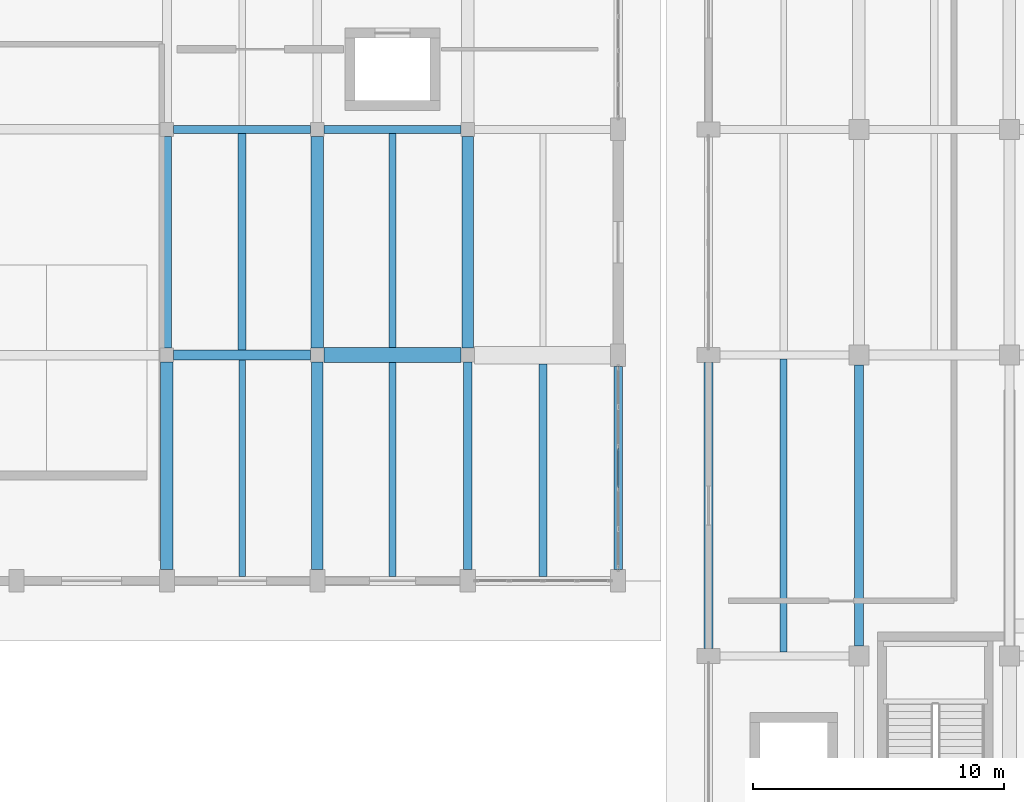
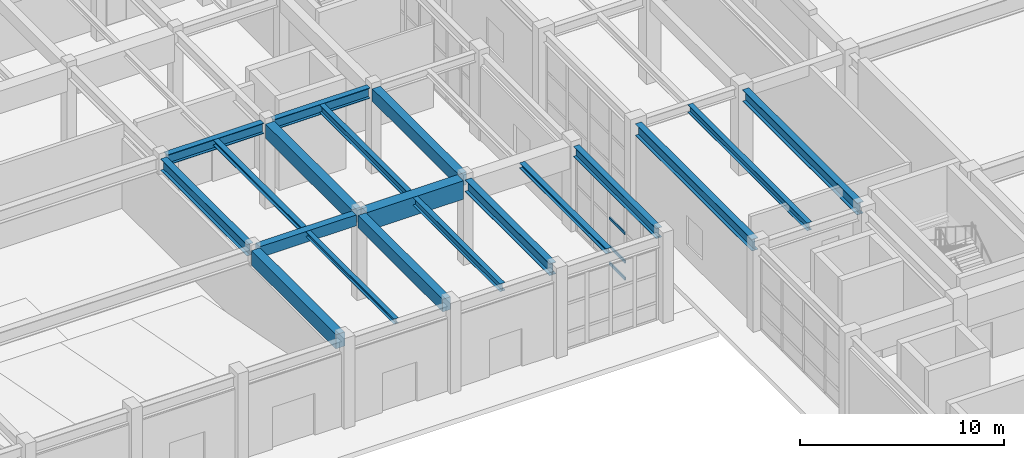
# One storey, part 11 of 91: 19 beams, 4 members, 1 element without a shape of its own.
"""IFC4 building model written with IfcOpenShell, lengths in metres."""

from ifc_helpers import new_model, si_unit, direction, frame, origin, origin_2d, place, context, subcontext, project, spatial, rectangle, hollow_rectangle, i_section, extrude, material, layer, layer_set, material_profile, profile_set, type_object, element, aggregate, save


model = new_model("IFC4")

# Units and contexts
model_context = context("Model", 3, precision=1e-05, world=origin(), true_north=direction((0.0, 1.0)))
body_context = subcontext(model_context, "Body", "Model", "MODEL_VIEW")
ifc_project = project(units=[si_unit("LENGTHUNIT", "METRE"), si_unit("AREAUNIT", "SQUARE_METRE"), si_unit("VOLUMEUNIT", "CUBIC_METRE"), si_unit("PLANEANGLEUNIT", "RADIAN"), si_unit("MASSUNIT", "GRAM", prefix="KILO")], contexts=[model_context])

# Site, building, storey
site_placement = place(None, origin())
site = spatial("IfcSite", under=ifc_project, at=site_placement, CompositionType="ELEMENT")
building_placement = place(site_placement, origin())
building = spatial("IfcBuilding", under=site, at=building_placement, Name="Vaelkrest Opera House", CompositionType="ELEMENT")
storey_placement = place(building_placement, origin())
storey = spatial("IfcBuildingStorey", under=building, at=storey_placement, Name="L00", CompositionType="ELEMENT", Elevation=0.0)

# Beams
ifc_material_1 = material(Name="Concrete C50/60", Category="concrete")
ifc_material_profile_1 = material_profile(ifc_material_1, rectangle(XDim=0.39990234375, YDim=0.64990234375, at=origin_2d()), Name="RCB400X650")
ifc_profile_set_1 = profile_set([ifc_material_profile_1], Name="Concrete C50/60")
beam_type_1 = type_object("IfcBeamType", Name="B01", PredefinedType="BEAM", material=ifc_profile_set_1)
beam_1_placement = place(storey_placement, frame((-51.324951171875, -7.800048828125, 4.7548828125), z_axis=(1.0, 0.0, 0.0), x_axis=(0.0, 1.0, 0.0)))
element("IfcBeam", 1, at=beam_1_placement, inside=storey, type_object=beam_type_1, Name="Beam BM-V3-L00-1389", PredefinedType="BEAM", context=body_context, shape_type="SweptSolid", body=[
    extrude(rectangle(XDim=0.39990234375, YDim=0.64990234375, at=origin_2d()), origin(), (0.0, 0.0, 1.0), 5.449951171875),
])
ifc_material_profile_2 = material_profile(ifc_material_1, rectangle(XDim=0.449951171875, YDim=0.75, at=origin_2d()), Name="RCB450X750")
ifc_profile_set_2 = profile_set([ifc_material_profile_2], Name="Concrete C50/60")
beam_type_2 = type_object("IfcBeamType", Name="B02", PredefinedType="BEAM", material=ifc_profile_set_2)
beam_2_placement = place(storey_placement, frame((-45.60009765625, -16.35009765625, 4.705078125), z_axis=(0.0, 1.0, 0.0), x_axis=(-1.0, 0.0, 0.0)))
element("IfcBeam", 2, at=beam_2_placement, inside=storey, type_object=beam_type_2, Name="Beam BM-V3-L00-1459", PredefinedType="BEAM", context=body_context, shape_type="SweptSolid", body=[
    extrude(rectangle(XDim=0.449951171875, YDim=0.75, at=origin_2d()), origin(), (0.0, 0.0, 1.0), 8.275146484375),
])
beam_3_placement = place(storey_placement, frame((-39.60009765625, -7.52490234375, 4.705078125), z_axis=(0.0, 1.0, 0.0), x_axis=(-1.0, 0.0, 0.0)))
element("IfcBeam", 3, at=beam_3_placement, inside=storey, type_object=beam_type_2, Name="Beam BM-V3-L00-1467", PredefinedType="BEAM", context=body_context, shape_type="SweptSolid", body=[
    extrude(rectangle(XDim=0.449951171875, YDim=0.75, at=origin_2d()), origin(), (0.0, 0.0, 1.0), 8.449951171875),
])
ifc_material_profile_3 = material_profile(ifc_material_1, rectangle(XDim=0.5, YDim=0.85009765625, at=origin_2d()), Name="RCB500X850")
ifc_profile_set_3 = profile_set([ifc_material_profile_3], Name="Concrete C50/60")
beam_type_3 = type_object("IfcBeamType", Name="B03", PredefinedType="BEAM", material=ifc_profile_set_3)
beam_4_placement = place(storey_placement, frame((-51.60009765625, -16.35009765625, 4.655029296875), z_axis=(0.0, 1.0, 0.0), x_axis=(-1.0, 0.0, 0.0)))
element("IfcBeam", 4, at=beam_4_placement, inside=storey, type_object=beam_type_3, Name="Beam BM-V3-L00-1452", PredefinedType="BEAM", context=body_context, shape_type="SweptSolid", body=[
    extrude(rectangle(XDim=0.5, YDim=0.85009765625, at=origin_2d()), origin(), (0.0, 0.0, 1.0), 8.275146484375),
])
beam_5_placement = place(storey_placement, frame((-45.60009765625, -7.52490234375, 4.655029296875), z_axis=(0.0, 1.0, 0.0), x_axis=(-1.0, 0.0, 0.0)))
element("IfcBeam", 5, at=beam_5_placement, inside=storey, type_object=beam_type_3, Name="Beam BM-V3-L00-1460", PredefinedType="BEAM", context=body_context, shape_type="SweptSolid", body=[
    extrude(rectangle(XDim=0.5, YDim=0.85009765625, at=origin_2d()), origin(), (0.0, 0.0, 1.0), 8.449951171875),
])
ifc_material_profile_4 = material_profile(ifc_material_1, rectangle(XDim=0.60009765625, YDim=1.10009765625, at=origin_2d()), Name="RCB600X1100")
ifc_profile_set_4 = profile_set([ifc_material_profile_4], Name="Concrete C50/60")
beam_type_4 = type_object("IfcBeamType", Name="B05", PredefinedType="BEAM", material=ifc_profile_set_4)
beam_6_placement = place(storey_placement, frame((-45.324951171875, -7.800048828125, 4.530029296875), z_axis=(1.0, 0.0, 0.0), x_axis=(0.0, 1.0, 0.0)))
element("IfcBeam", 6, at=beam_6_placement, inside=storey, type_object=beam_type_4, Name="Beam BM-V3-L00-1390", PredefinedType="BEAM", context=body_context, shape_type="SweptSolid", body=[
    extrude(rectangle(XDim=0.60009765625, YDim=1.10009765625, at=origin_2d()), origin(), (0.0, 0.0, 1.0), 5.449951171875),
])
ifc_material_2 = material(Name="Steel A992 Gr50", Category="steel")
ifc_material_profile_5 = material_profile(ifc_material_2, i_section(OverallWidth=0.327880859375, OverallDepth=0.6279296875, WebThickness=0.0166015625, FlangeThickness=0.027587890625, at=origin_2d()), Name="W24X146")
ifc_profile_set_5 = profile_set([ifc_material_profile_5], Name="Steel A992 Gr50")
beam_type_5 = type_object("IfcBeamType", Name="B09", PredefinedType="BEAM", material=ifc_profile_set_5)
beam_7_placement = place(storey_placement, frame((-51.324951171875, 1.199951171875, 4.76611328125), z_axis=(1.0, 0.0, 0.0), x_axis=(0.0, 1.0, 0.0)))
element("IfcBeam", 7, at=beam_7_placement, inside=storey, type_object=beam_type_5, Name="Beam BM-V3-L00-1394", PredefinedType="BEAM", context=body_context, shape_type="SweptSolid", body=[
    extrude(i_section(OverallWidth=0.327880859375, OverallDepth=0.6279296875, WebThickness=0.0166015625, FlangeThickness=0.027587890625, at=origin_2d()), origin(), (0.0, 0.0, 1.0), 5.449951171875),
])
ifc_material_profile_6 = material_profile(ifc_material_2, i_section(OverallWidth=0.35498046875, OverallDepth=0.695068359375, WebThickness=0.015380859375, FlangeThickness=0.02490234375, at=origin_2d()), Name="W27X146")
ifc_profile_set_6 = profile_set([ifc_material_profile_6], Name="Steel A992 Gr50")
beam_type_6 = type_object("IfcBeamType", Name="B10", PredefinedType="BEAM", material=ifc_profile_set_6)
beam_8_placement = place(storey_placement, frame((-51.60009765625, -7.52490234375, 4.732421875), z_axis=(0.0, 1.0, 0.0), x_axis=(-1.0, 0.0, 0.0)))
element("IfcBeam", 8, at=beam_8_placement, inside=storey, type_object=beam_type_6, Name="Beam BM-V3-L00-1453", PredefinedType="BEAM", context=body_context, shape_type="SweptSolid", body=[
    extrude(i_section(OverallWidth=0.35498046875, OverallDepth=0.695068359375, WebThickness=0.015380859375, FlangeThickness=0.02490234375, at=origin_2d()), origin(), (0.0, 0.0, 1.0), 8.449951171875),
])
ifc_material_profile_7 = material_profile(ifc_material_2, i_section(OverallWidth=0.35791015625, OverallDepth=0.7060546875, WebThickness=0.018310546875, FlangeThickness=0.0302734375, at=origin_2d()), Name="W27X178")
ifc_profile_set_7 = profile_set([ifc_material_profile_7], Name="Steel A992 Gr50")
beam_type_7 = type_object("IfcBeamType", Name="B14", PredefinedType="BEAM", material=ifc_profile_set_7)
beam_9_placement = place(storey_placement, frame((-24.0, -19.39990234375, 4.72705078125), z_axis=(0.0, 1.0, 0.0), x_axis=(-1.0, 0.0, 0.0)))
element("IfcBeam", 9, at=beam_9_placement, inside=storey, type_object=beam_type_7, Name="Beam BM-V1-L00-0150", PredefinedType="BEAM", context=body_context, shape_type="SweptSolid", body=[
    extrude(i_section(OverallWidth=0.35791015625, OverallDepth=0.7060546875, WebThickness=0.018310546875, FlangeThickness=0.0302734375, at=origin_2d()), origin(), (0.0, 0.0, 1.0), 11.199951171875),
])
beam_10_placement = place(storey_placement, frame((-39.60009765625, -16.35009765625, 4.72705078125), z_axis=(0.0, 1.0, 0.0), x_axis=(-1.0, 0.0, 0.0)))
element("IfcBeam", 10, at=beam_10_placement, inside=storey, type_object=beam_type_7, Name="Beam BM-V3-L00-1466", PredefinedType="BEAM", context=body_context, shape_type="SweptSolid", body=[
    extrude(i_section(OverallWidth=0.35791015625, OverallDepth=0.7060546875, WebThickness=0.018310546875, FlangeThickness=0.0302734375, at=origin_2d()), origin(), (0.0, 0.0, 1.0), 8.275146484375),
])
ifc_material_profile_8 = material_profile(ifc_material_2, i_section(OverallWidth=0.326904296875, OverallDepth=0.6220703125, WebThickness=0.015380859375, FlangeThickness=0.0244140625, at=origin_2d()), Name="W24X131")
ifc_profile_set_8 = profile_set([ifc_material_profile_8], Name="Steel A992 Gr50")
beam_type_8 = type_object("IfcBeamType", Name="B19", PredefinedType="BEAM", material=ifc_profile_set_8)
beam_11_placement = place(storey_placement, frame((-45.324951171875, 1.199951171875, 4.76904296875), z_axis=(1.0, 0.0, 0.0), x_axis=(0.0, 1.0, 0.0)))
element("IfcBeam", 11, at=beam_11_placement, inside=storey, type_object=beam_type_8, Name="Beam BM-V3-L00-1395", PredefinedType="BEAM", context=body_context, shape_type="SweptSolid", body=[
    extrude(i_section(OverallWidth=0.326904296875, OverallDepth=0.6220703125, WebThickness=0.015380859375, FlangeThickness=0.0244140625, at=origin_2d()), origin(), (0.0, 0.0, 1.0), 5.449951171875),
])

# Curtain wall, members
ifc_material_3 = material(Name="Dark bronze anodized aluminium", Category="aluminium")
ifc_layer = layer(ifc_material_3, 0.199951171875)
ifc_layer_set = layer_set([ifc_layer], Name="Dark bronze anodized aluminium")
curtain_wall_type = type_object("IfcCurtainWallType", Name="CW03", PredefinedType="NOTDEFINED", material=ifc_layer_set)
curtain_wall_placement = place(storey_placement, origin())
curtain_wall = element("IfcCurtainWall", 12, at=curtain_wall_placement, inside=storey, type_object=curtain_wall_type, Name="Curtain wall CW-L00-098", PredefinedType="NOTDEFINED")
ifc_material_profile_9 = material_profile(ifc_material_3, hollow_rectangle(XDim=0.074951171875, YDim=0.159912109375, WallThickness=0.00439453125, at=origin_2d()), Name="CWT75X160")
ifc_profile_set_9 = profile_set([ifc_material_profile_9], Name="Dark bronze anodized aluminium")
member_type = type_object("IfcMemberType", Name="CWT03", PredefinedType="USERDEFINED", material=ifc_profile_set_9)
member_1_placement = place(storey_placement, frame((-33.60009765625, -11.527099609375, 0.03759765625), z_axis=(0.0, -1.0, 0.0), x_axis=(1.0, 0.0, 0.0)))
member_1 = element("IfcMember", 13, at=member_1_placement, type_object=member_type, Name="CW03 transom 3.1", ObjectType="TRANSOM", PredefinedType="USERDEFINED", context=body_context, shape_type="SweptSolid", body=[
    extrude(hollow_rectangle(XDim=0.074951171875, YDim=0.159912109375, WallThickness=0.00439453125, at=origin_2d()), origin(), (0.0, 0.0, 1.0), 1.5458984375),
])
member_2_placement = place(storey_placement, frame((-33.60009765625, -11.527099609375, 1.050048828125), z_axis=(0.0, -1.0, 0.0), x_axis=(1.0, 0.0, 0.0)))
member_2 = element("IfcMember", 14, at=member_2_placement, type_object=member_type, Name="CW03 transom 3.2", ObjectType="TRANSOM", PredefinedType="USERDEFINED", context=body_context, shape_type="SweptSolid", body=[
    extrude(hollow_rectangle(XDim=0.074951171875, YDim=0.159912109375, WallThickness=0.00439453125, at=origin_2d()), origin(), (0.0, 0.0, 1.0), 1.5458984375),
])
member_3_placement = place(storey_placement, frame((-33.60009765625, -11.527099609375, 2.75), z_axis=(0.0, -1.0, 0.0), x_axis=(1.0, 0.0, 0.0)))
member_3 = element("IfcMember", 15, at=member_3_placement, type_object=member_type, Name="CW03 transom 3.3", ObjectType="TRANSOM", PredefinedType="USERDEFINED", context=body_context, shape_type="SweptSolid", body=[
    extrude(hollow_rectangle(XDim=0.074951171875, YDim=0.159912109375, WallThickness=0.00439453125, at=origin_2d()), origin(), (0.0, 0.0, 1.0), 1.5458984375),
])
member_4_placement = place(storey_placement, frame((-33.60009765625, -11.527099609375, 4.366455078125), z_axis=(0.0, -1.0, 0.0), x_axis=(1.0, 0.0, 0.0)))
member_4 = element("IfcMember", 16, at=member_4_placement, type_object=member_type, Name="CW03 transom 3.4", ObjectType="TRANSOM", PredefinedType="USERDEFINED", context=body_context, shape_type="SweptSolid", body=[
    extrude(hollow_rectangle(XDim=0.074951171875, YDim=0.159912109375, WallThickness=0.00439453125, at=origin_2d()), origin(), (0.0, 0.0, 1.0), 1.5458984375),
])
aggregate(curtain_wall, [member_1, member_2, member_3, member_4])

# Beams
ifc_material_profile_10 = material_profile(ifc_material_2, i_section(OverallWidth=0.25390625, OverallDepth=0.305908203125, WebThickness=0.0087890625, FlangeThickness=0.0146484375, at=origin_2d()), Name="W12X53")
ifc_profile_set_10 = profile_set([ifc_material_profile_10], Name="Steel A992 Gr50")
beam_type_9 = type_object("IfcBeamType", Name="J03", PredefinedType="JOIST", material=ifc_profile_set_10)
beam_12_placement = place(storey_placement, frame((-48.60009765625, -16.62255859375, 4.927001953125), z_axis=(0.0, 1.0, 0.0), x_axis=(-1.0, 0.0, 0.0)))
element("IfcBeam", 17, at=beam_12_placement, inside=storey, type_object=beam_type_9, Name="Floor joist JST-V3-L00-1493", PredefinedType="JOIST", context=body_context, shape_type="SweptSolid", body=[
    extrude(i_section(OverallWidth=0.25390625, OverallDepth=0.305908203125, WebThickness=0.0087890625, FlangeThickness=0.0146484375, at=origin_2d()), origin(), (0.0, 0.0, 1.0), 8.62255859375),
])
ifc_material_profile_11 = material_profile(ifc_material_2, i_section(OverallWidth=0.304931640625, OverallDepth=0.30810546875, WebThickness=0.010009765625, FlangeThickness=0.015380859375, at=origin_2d()), Name="W12X65")
ifc_profile_set_11 = profile_set([ifc_material_profile_11], Name="Steel A992 Gr50")
beam_type_10 = type_object("IfcBeamType", Name="J04", PredefinedType="JOIST", material=ifc_profile_set_11)
beam_13_placement = place(storey_placement, frame((-48.60009765625, -7.60009765625, 4.926025390625), z_axis=(0.0, 1.0, 0.0), x_axis=(-1.0, 0.0, 0.0)))
element("IfcBeam", 18, at=beam_13_placement, inside=storey, type_object=beam_type_10, Name="Floor joist JST-V3-L00-1494", PredefinedType="JOIST", context=body_context, shape_type="SweptSolid", body=[
    extrude(i_section(OverallWidth=0.304931640625, OverallDepth=0.30810546875, WebThickness=0.010009765625, FlangeThickness=0.015380859375, at=origin_2d()), origin(), (0.0, 0.0, 1.0), 8.635986328125),
])
beam_14_placement = place(storey_placement, frame((-36.60009765625, -16.62255859375, 4.926025390625), z_axis=(0.0, 1.0, 0.0), x_axis=(-1.0, 0.0, 0.0)))
element("IfcBeam", 19, at=beam_14_placement, inside=storey, type_object=beam_type_10, Name="Floor joist JST-V3-L00-1504", PredefinedType="JOIST", context=body_context, shape_type="SweptSolid", body=[
    extrude(i_section(OverallWidth=0.304931640625, OverallDepth=0.30810546875, WebThickness=0.010009765625, FlangeThickness=0.015380859375, at=origin_2d()), origin(), (0.0, 0.0, 1.0), 8.47265625),
])
ifc_material_profile_12 = material_profile(ifc_material_2, i_section(OverallWidth=0.280029296875, OverallDepth=0.462890625, WebThickness=0.0107421875, FlangeThickness=0.017333984375, at=origin_2d()), Name="W18X76")
ifc_profile_set_12 = profile_set([ifc_material_profile_12], Name="Steel A992 Gr50")
beam_type_11 = type_object("IfcBeamType", Name="J09", PredefinedType="JOIST", material=ifc_profile_set_12)
beam_15_placement = place(storey_placement, frame((-27.0, -19.637939453125, 4.848388671875), z_axis=(0.0, 1.0, 0.0), x_axis=(-1.0, 0.0, 0.0)))
element("IfcBeam", 20, at=beam_15_placement, inside=storey, type_object=beam_type_11, Name="Floor joist JST-V1-L00-0189", PredefinedType="JOIST", context=body_context, shape_type="SweptSolid", body=[
    extrude(i_section(OverallWidth=0.280029296875, OverallDepth=0.462890625, WebThickness=0.0107421875, FlangeThickness=0.017333984375, at=origin_2d()), origin(), (0.0, 0.0, 1.0), 11.680419921875),
])
beam_16_placement = place(storey_placement, frame((-42.60009765625, -16.62255859375, 4.848388671875), z_axis=(0.0, 1.0, 0.0), x_axis=(-1.0, 0.0, 0.0)))
element("IfcBeam", 21, at=beam_16_placement, inside=storey, type_object=beam_type_11, Name="Floor joist JST-V3-L00-1499", PredefinedType="JOIST", context=body_context, shape_type="SweptSolid", body=[
    extrude(i_section(OverallWidth=0.280029296875, OverallDepth=0.462890625, WebThickness=0.0107421875, FlangeThickness=0.017333984375, at=origin_2d()), origin(), (0.0, 0.0, 1.0), 8.5224609375),
])
ifc_material_profile_13 = material_profile(ifc_material_2, i_section(OverallWidth=0.282958984375, OverallDepth=0.471923828125, WebThickness=0.013671875, FlangeThickness=0.022216796875, at=origin_2d()), Name="W18X97")
ifc_profile_set_13 = profile_set([ifc_material_profile_13], Name="Steel A992 Gr50")
beam_type_12 = type_object("IfcBeamType", Name="J10", PredefinedType="JOIST", material=ifc_profile_set_13)
beam_17_placement = place(storey_placement, frame((-42.60009765625, -7.5, 4.843994140625), z_axis=(0.0, 1.0, 0.0), x_axis=(-1.0, 0.0, 0.0)))
element("IfcBeam", 22, at=beam_17_placement, inside=storey, type_object=beam_type_12, Name="Floor joist JST-V3-L00-1500", PredefinedType="JOIST", context=body_context, shape_type="SweptSolid", body=[
    extrude(i_section(OverallWidth=0.282958984375, OverallDepth=0.471923828125, WebThickness=0.013671875, FlangeThickness=0.022216796875, at=origin_2d()), origin(), (0.0, 0.0, 1.0), 8.53662109375),
])
ifc_material_profile_14 = material_profile(ifc_material_2, i_section(OverallWidth=0.323974609375, OverallDepth=0.611083984375, WebThickness=0.0126953125, FlangeThickness=0.01904296875, at=origin_2d()), Name="W24X104")
ifc_profile_set_14 = profile_set([ifc_material_profile_14], Name="Steel A992 Gr50")
beam_type_13 = type_object("IfcBeamType", Name="SP01", PredefinedType="SPANDREL", material=ifc_profile_set_14)
beam_18_placement = place(storey_placement, frame((-33.60009765625, -16.35009765625, 4.7744140625), z_axis=(0.0, 1.0, 0.0), x_axis=(-1.0, 0.0, 0.0)))
element("IfcBeam", 23, at=beam_18_placement, inside=storey, type_object=beam_type_13, Name="Beam BM-V3-L00-1473", PredefinedType="SPANDREL", context=body_context, shape_type="SweptSolid", body=[
    extrude(i_section(OverallWidth=0.323974609375, OverallDepth=0.611083984375, WebThickness=0.0126953125, FlangeThickness=0.01904296875, at=origin_2d()), origin(), (0.0, 0.0, 1.0), 8.10009765625),
])
ifc_material_profile_15 = material_profile(ifc_material_2, i_section(OverallWidth=0.35498046875, OverallDepth=0.695068359375, WebThickness=0.015380859375, FlangeThickness=0.02490234375, at=origin_2d()), Name="W27X146")
ifc_profile_set_15 = profile_set([ifc_material_profile_15], Name="Steel A992 Gr50")
beam_type_14 = type_object("IfcBeamType", Name="SP02", PredefinedType="SPANDREL", material=ifc_profile_set_15)
beam_19_placement = place(storey_placement, frame((-30.0, -19.5, 4.732421875), z_axis=(0.0, 1.0, 0.0), x_axis=(-1.0, 0.0, 0.0)))
element("IfcBeam", 24, at=beam_19_placement, inside=storey, type_object=beam_type_14, Name="Beam BM-V1-L00-0145", PredefinedType="SPANDREL", context=body_context, shape_type="SweptSolid", body=[
    extrude(i_section(OverallWidth=0.35498046875, OverallDepth=0.695068359375, WebThickness=0.015380859375, FlangeThickness=0.02490234375, at=origin_2d()), origin(), (0.0, 0.0, 1.0), 11.39990234375),
])

save(model, "model.ifc")
